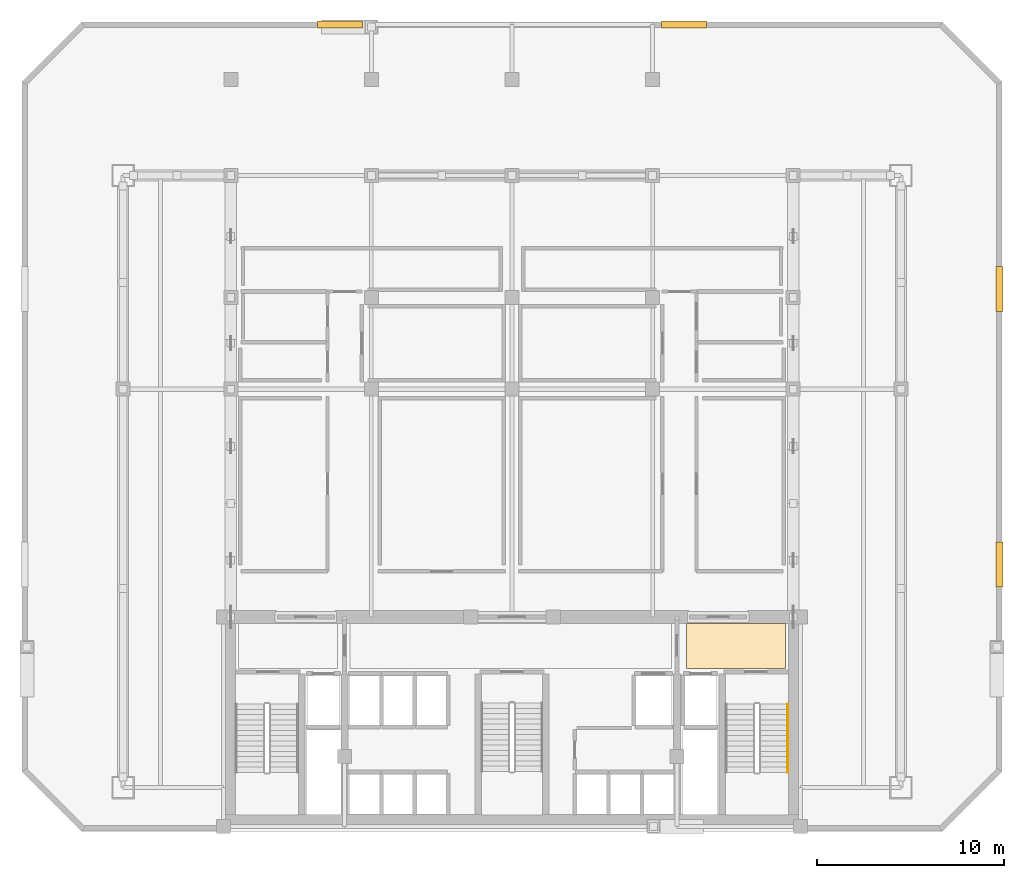
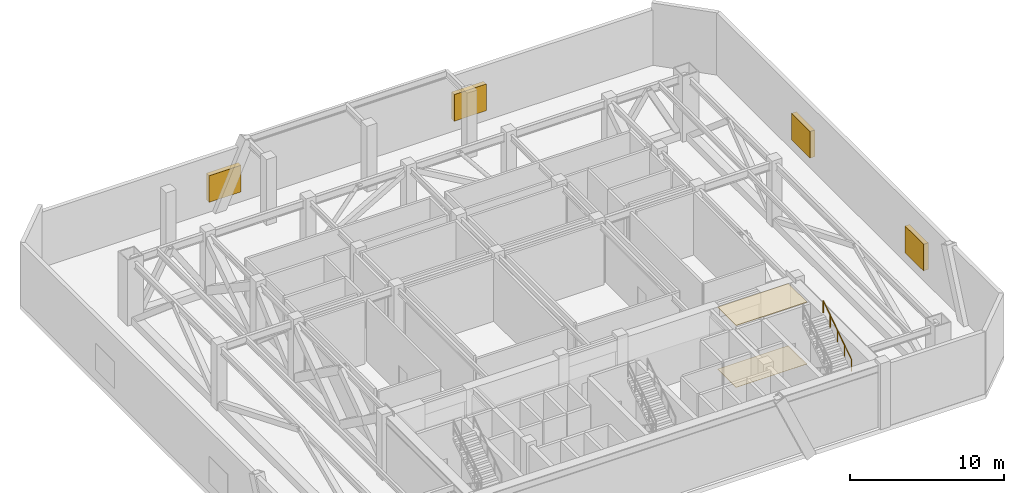
# One storey, part 10 of 10: 4 shading devices, 2 coverings, 1 railing.
"""IFC4 building model written with IfcOpenShell, lengths in metres."""

from ifc_helpers import new_model, si_unit, direction, frame, origin, origin_2d, place, context, subcontext, project, spatial, polyline, rectangle, circle, outline, extrude, material, layer, layer_set, type_object, element, save


model = new_model("IFC4")

# Units and contexts
model_context = context("Model", 3, precision=1e-05, world=origin(), true_north=direction((0.0, 1.0)))
body_context = subcontext(model_context, "Body", "Model", "MODEL_VIEW")
ifc_project = project(units=[si_unit("LENGTHUNIT", "METRE"), si_unit("AREAUNIT", "SQUARE_METRE"), si_unit("VOLUMEUNIT", "CUBIC_METRE"), si_unit("PLANEANGLEUNIT", "RADIAN"), si_unit("MASSUNIT", "GRAM", prefix="KILO")], contexts=[model_context])

# Site, building, storey
site_placement = place(None, origin())
site = spatial("IfcSite", under=ifc_project, at=site_placement, CompositionType="ELEMENT")
building_placement = place(site_placement, origin())
building = spatial("IfcBuilding", under=site, at=building_placement, Name="Ventersveld Concourse Tower", CompositionType="ELEMENT")
storey_placement = place(building_placement, frame((0.0, 0.0, 134.949951171875)))
storey = spatial("IfcBuildingStorey", under=building, at=storey_placement, Name="L33", CompositionType="ELEMENT", Elevation=134.949951171875)

# Coverings
ifc_material_1 = material(Name="Mineral-fibre acoustic ceiling tile", Category="gypsum")
ifc_layer_1 = layer(ifc_material_1, 0.0400390625)
ifc_layer_set_1 = layer_set([ifc_layer_1], Name="Mineral-fibre acoustic ceiling tile")
covering_type_1 = type_object("IfcCoveringType", Name="COV-CEIL-ACOUSTIC", PredefinedType="CEILING", material=ifc_layer_set_1)
covering_1_placement = place(storey_placement, frame((0.0, 0.0, 4.880126953125)))
element("IfcCovering", 1, at=covering_1_placement, inside=storey, type_object=covering_type_1, Name="L33 East Firefighting Lobby Acoustic Ceiling", PredefinedType="CEILING", context=body_context, shape_type="SweptSolid", body=[
    extrude(outline(polyline([(38.050048828125, 8.699951171875), (43.35009765625, 8.699951171875), (43.35009765625, 11.10009765625), (38.050048828125, 11.10009765625), (38.050048828125, 8.699951171875)])), origin(), (0.0, 0.0, 1.0), 0.0400390625),
])
ifc_material_2 = material(Name="Polished Highveld granite terrazzo", Category="masonry")
ifc_layer_2 = layer(ifc_material_2, 0.02001953125)
ifc_layer_set_2 = layer_set([ifc_layer_2], Name="Polished Highveld granite terrazzo")
covering_type_2 = type_object("IfcCoveringType", Name="COV-FLOOR-TERRAZZO", PredefinedType="FLOORING", material=ifc_layer_set_2)
covering_2_placement = place(storey_placement, origin())
element("IfcCovering", 2, at=covering_2_placement, inside=storey, type_object=covering_type_2, Name="L33 East Firefighting Lobby Terrazzo Flooring", PredefinedType="FLOORING", context=body_context, shape_type="SweptSolid", body=[
    extrude(outline(polyline([(38.050048828125, 8.699951171875), (43.35009765625, 8.699951171875), (43.35009765625, 11.10009765625), (38.050048828125, 11.10009765625), (38.050048828125, 8.699951171875)])), origin(), (0.0, 0.0, 1.0), 0.02001953125),
])

# Railing
ifc_material_3 = material(Name="Brushed stainless steel 316", Category="steel")
railing_type = type_object("IfcRailingType", Name="HR-RMP-095", PredefinedType="HANDRAIL", material=ifc_material_3)
railing_placement = place(storey_placement, frame((43.469970703125, 3.159912109375, 2.78564453125)))
element("IfcRailing", 3, at=railing_placement, inside=storey, type_object=railing_type, Name="L33 ST-02 stair handrail 2", PredefinedType="HANDRAIL", context=body_context, shape_type="SweptSolid", body=[
    extrude(circle(Radius=0.02392578125, at=origin_2d()), frame((0.0, 0.0, 0.92578125), z_axis=(0.0, 0.833363587613, 0.552725185641), x_axis=(-1.0, 0.0, 0.0)), (0.0, 0.0, 1.0), 4.367919921875),
    extrude(circle(Radius=0.02099609375, at=origin_2d()), origin(), (0.0, 0.0, 1.0), 0.90185546875),
    extrude(circle(Radius=0.02099609375, at=origin_2d()), frame((0.0, 0.91015625, 0.603515625)), (0.0, 0.0, 1.0), 0.90185546875),
    extrude(circle(Radius=0.02099609375, at=origin_2d()), frame((0.0, 1.820068359375, 1.20703125)), (0.0, 0.0, 1.0), 0.90185546875),
    extrude(circle(Radius=0.02099609375, at=origin_2d()), frame((0.0, 2.72998046875, 1.810791015625)), (0.0, 0.0, 1.0), 0.90185546875),
    extrude(circle(Radius=0.02099609375, at=origin_2d()), frame((0.0, 3.64013671875, 2.414306640625)), (0.0, 0.0, 1.0), 0.90185546875),
])

# Shading devices
ifc_material_4 = material(Name="Anodised aluminium EN AW-6063-T6", Category="aluminium")
shading_device_type = type_object("IfcShadingDeviceType", Name="SHD-LOUVRE-300", PredefinedType="JALOUSIE", material=ifc_material_4)
for number, where, z_axis, x_axis, name in (
    (4, (54.75, 14.256103515625, 0.800048828125), (0.0, 0.0, 1.0), (0.0, 1.0, 0.0), "L33 Mechanical Plant Louvre E1"),
    (5, (54.75, 28.944091796875, 0.800048828125), (0.0, 0.0, 1.0), (0.0, 1.0, 0.0), "L33 Mechanical Plant Louvre E2"),
    (6, (37.9140625, 43.050048828125, 0.800048828125), (0.0, 0.0, 1.0), (-1.0, 0.0, 0.0), "L33 Mechanical Plant Louvre N1"),
    (7, (19.5859375, 43.050048828125, 0.800048828125), (0.0, 0.0, 1.0), (-1.0, 0.0, 0.0), "L33 Mechanical Plant Louvre N2"),
):
    element("IfcShadingDevice", number, at=place(storey_placement, frame(where, z_axis=z_axis, x_axis=x_axis)), inside=storey, type_object=shading_device_type, Name=name, PredefinedType="JALOUSIE", context=body_context, shape_type="SweptSolid", body=[
        extrude(rectangle(XDim=2.39990234375, YDim=0.360107421875, at=origin_2d()), origin(), (0.0, 0.0, 1.0), 2.10009765625),
    ])

save(model, "model.ifc")
